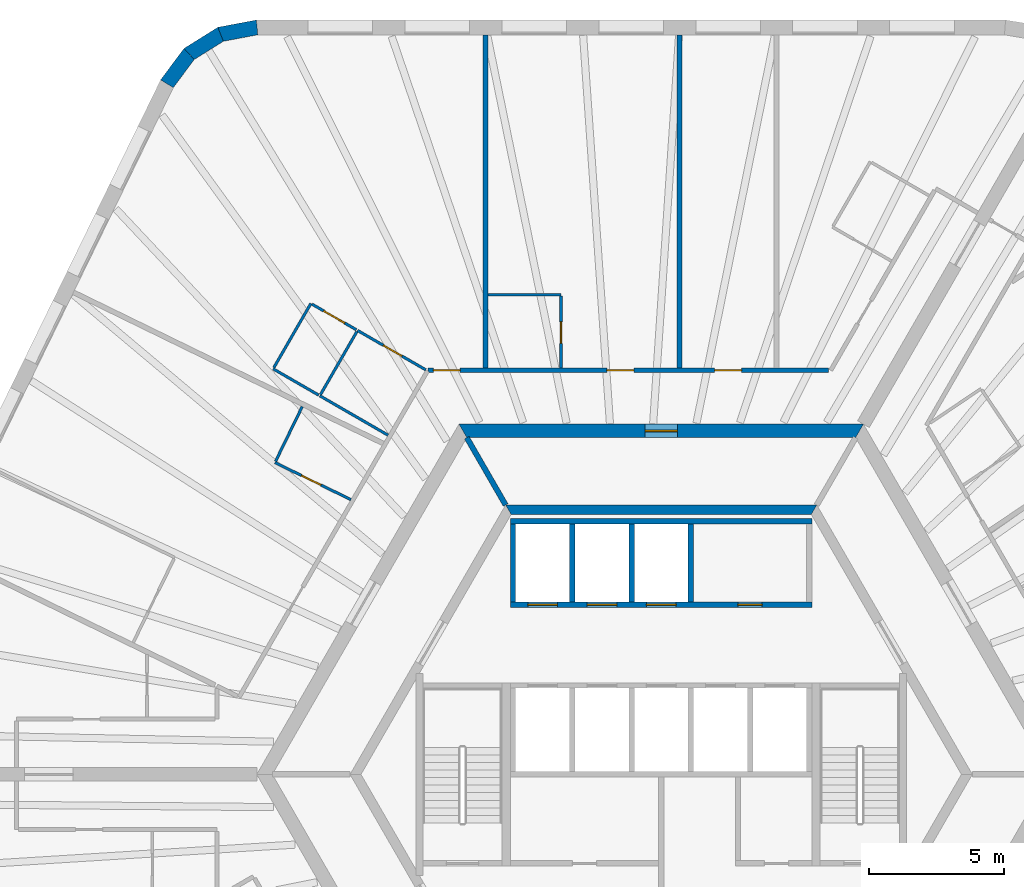
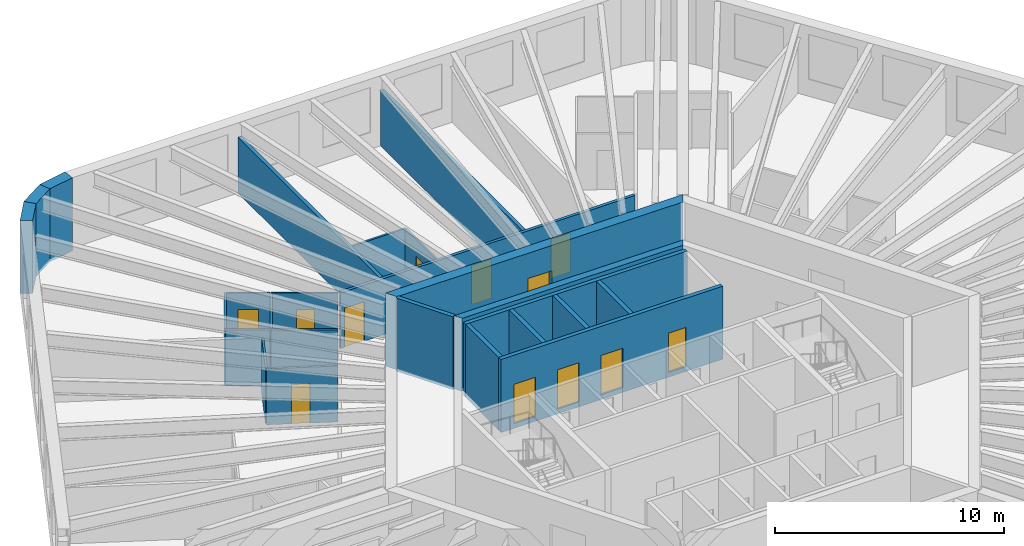
# One storey, part 7 of 10: 25 walls, 12 doors, 12 openings.
"""IFC4 building model written with IfcOpenShell, lengths in metres."""

from ifc_helpers import new_model, si_unit, direction, frame, frame_2d, origin, place, context, subcontext, project, spatial, polyline, rectangle, outline, extrude, material, layer, layer_set, type_object, element, fill, save


model = new_model("IFC4")

# Units and contexts
model_context = context("Model", 3, precision=1e-05, world=origin(), true_north=direction((0.0, 1.0)))
body_context = subcontext(model_context, "Body", "Model", "MODEL_VIEW")
ifc_project = project(units=[si_unit("LENGTHUNIT", "METRE"), si_unit("AREAUNIT", "SQUARE_METRE"), si_unit("VOLUMEUNIT", "CUBIC_METRE"), si_unit("PLANEANGLEUNIT", "RADIAN"), si_unit("MASSUNIT", "GRAM", prefix="KILO")], contexts=[model_context])

# Site, building, storey
site_placement = place(None, origin())
site = spatial("IfcSite", under=ifc_project, at=site_placement, CompositionType="ELEMENT")
building_placement = place(site_placement, origin())
building = spatial("IfcBuilding", under=site, at=building_placement, Name="Tarnside Tower", CompositionType="ELEMENT")
storey_placement = place(building_placement, frame((0.0, 0.0, 211.199951171875)))
storey = spatial("IfcBuildingStorey", under=building, at=storey_placement, Name="L50", CompositionType="ELEMENT", Elevation=211.199951171875)

# Wall
ifc_material_1 = material(Name="Gypsum board partition on steel studs", Category="steel")
ifc_layer_1 = layer(ifc_material_1, 0.10009765625)
ifc_layer_set_1 = layer_set([ifc_layer_1], Name="Bathroom wall 100")
wall_type_1 = type_object("IfcWallType", Name="Bathroom wall 100", PredefinedType="PARTITIONING", material=ifc_layer_set_1)
wall_1_placement = place(storey_placement, frame((-6.427978515625, 17.800048828125, 0.0), z_axis=(0.0, 0.0, 1.0), x_axis=(1.0, 0.0, 0.0)))
element("IfcWall", 1, at=wall_1_placement, inside=storey, type_object=wall_type_1, Name="Bathroom wall 16056", PredefinedType="PARTITIONING", context=body_context, shape_type="SweptSolid", body=[
    extrude(rectangle(XDim=2.710205078125, YDim=0.10009765625, at=frame_2d((1.35498046875, 0.0))), origin(), (0.0, 0.0, 1.0), 2.98779296875),
])

# Wall, opening, door
wall_2_placement = place(storey_placement, frame((-3.7177734375, 17.75, 0.0), z_axis=(0.0, 0.0, 1.0), x_axis=(0.0, -1.0, 0.0)))
wall_2 = element("IfcWall", 2, at=wall_2_placement, inside=storey, type_object=wall_type_1, Name="Bathroom wall 16057", PredefinedType="PARTITIONING", context=body_context, shape_type="SweptSolid", body=[
    extrude(rectangle(XDim=2.675048828125, YDim=0.10009765625, at=frame_2d((1.33740234375, 0.0))), origin(), (0.0, 0.0, 1.0), 2.98779296875),
])
opening_1_placement = place(wall_2_placement, frame((0.949951171875, 0.0, 0.0)))
opening_1 = element("IfcOpeningElement", 3, at=opening_1_placement, cuts=wall_2, Name="Opening D-B1", PredefinedType="OPENING", context=body_context, shape_type="SweptSolid", body=[
    extrude(rectangle(XDim=0.800048828125, YDim=2.10009765625, at=frame_2d((0.39990234375, 1.050048828125))), frame((0.0, 0.06005859375, 0.0), z_axis=(0.0, -1.0, 0.0), x_axis=(1.0, 0.0, 0.0)), (0.0, 0.0, 1.0), 0.1201171875),
])
ifc_material_2 = material(Name="Timber door leaf", Category="wood")
door_type_1 = type_object("IfcDoorType", Name="Bathroom door 800", OperationType="NOTDEFINED", PredefinedType="DOOR", material=ifc_material_2)
door_1_placement = place(opening_1_placement, origin())
door_1 = element("IfcDoor", 4, at=door_1_placement, inside=storey, type_object=door_type_1, Name="Bathroom door 16005", OperationType="SINGLE_SWING_LEFT", OverallHeight=2.10009765625, OverallWidth=0.800048828125, PredefinedType="DOOR", context=body_context, shape_type="SweptSolid", body=[
    extrude(rectangle(XDim=0.800048828125, YDim=2.10009765625, at=frame_2d((0.39990234375, 1.050048828125))), frame((0.0, 0.02490234375, 0.0), z_axis=(0.0, -1.0, 0.0), x_axis=(1.0, 0.0, 0.0)), (0.0, 0.0, 1.0), 0.050048828125),
])
fill(opening_1, door_1)

# Wall
wall_3_placement = place(storey_placement, frame((-10.137939453125, 12.5908203125, 0.0), z_axis=(0.0, 0.0, 1.0), x_axis=(-0.866025730634, 0.499999433879, 0.0)))
element("IfcWall", 5, at=wall_3_placement, inside=storey, type_object=wall_type_1, Name="Bathroom wall 16060", PredefinedType="PARTITIONING", context=body_context, shape_type="SweptSolid", body=[
    extrude(rectangle(XDim=2.9248046875, YDim=0.10009765625, at=frame_2d((1.46240234375, 0.0))), origin(), (0.0, 0.0, 1.0), 2.98779296875),
])

# Wall, opening, door
wall_4_placement = place(storey_placement, frame((-11.27099609375, 16.47802734375, 0.0), z_axis=(0.0, 0.0, 1.0), x_axis=(0.866046596414, -0.499963291492, 0.0)))
wall_4 = element("IfcWall", 6, at=wall_4_placement, inside=storey, type_object=wall_type_1, Name="Bathroom wall 16061", PredefinedType="PARTITIONING", context=body_context, shape_type="SweptSolid", body=[
    extrude(rectangle(XDim=2.925048828125, YDim=0.10009765625, at=frame_2d((1.46240234375, 0.0))), origin(), (0.0, 0.0, 1.0), 2.98779296875),
])
opening_2_placement = place(wall_4_placement, frame((1.10009765625, 0.0, 0.0)))
opening_2 = element("IfcOpeningElement", 7, at=opening_2_placement, cuts=wall_4, Name="Opening D-B1", PredefinedType="OPENING", context=body_context, shape_type="SweptSolid", body=[
    extrude(rectangle(XDim=0.800048828125, YDim=2.10009765625, at=frame_2d((0.39990234375, 1.050048828125))), frame((0.0, 0.06005859375, 0.0), z_axis=(0.0, -1.0, 0.0), x_axis=(1.0, 0.0, 0.0)), (0.0, 0.0, 1.0), 0.1201171875),
])
door_2_placement = place(opening_2_placement, origin())
door_2 = element("IfcDoor", 8, at=door_2_placement, inside=storey, type_object=door_type_1, Name="Bathroom door 16007", OperationType="SINGLE_SWING_LEFT", OverallHeight=2.10009765625, OverallWidth=0.800048828125, PredefinedType="DOOR", context=body_context, shape_type="SweptSolid", body=[
    extrude(rectangle(XDim=0.800048828125, YDim=2.10009765625, at=frame_2d((0.39990234375, 1.050048828125))), frame((0.0, 0.02490234375, 0.0), z_axis=(0.0, -1.0, 0.0), x_axis=(1.0, 0.0, 0.0)), (0.0, 0.0, 1.0), 0.050048828125),
])
fill(opening_2, door_2)

# Wall
wall_5_placement = place(storey_placement, frame((-11.2958984375, 16.434814453125, 0.0), z_axis=(0.0, 0.0, 1.0), x_axis=(-0.50000943426, -0.866019956843, 0.0)))
element("IfcWall", 9, at=wall_5_placement, inside=storey, type_object=wall_type_1, Name="Bathroom wall 16067", PredefinedType="PARTITIONING", context=body_context, shape_type="SweptSolid", body=[
    extrude(rectangle(XDim=2.7001953125, YDim=0.10009765625, at=frame_2d((1.35009765625, 0.0))), origin(), (0.0, 0.0, 1.0), 2.98779296875),
])

# Wall, opening, door
wall_6_placement = place(storey_placement, frame((-11.518310546875, 10.199462890625, 0.0), z_axis=(0.0, 0.0, 1.0), x_axis=(-0.898776679215, 0.438406752799, 0.0)))
wall_6 = element("IfcWall", 10, at=wall_6_placement, inside=storey, type_object=wall_type_1, Name="Bathroom wall 16068", PredefinedType="PARTITIONING", context=body_context, shape_type="SweptSolid", body=[
    extrude(rectangle(XDim=3.134765625, YDim=0.10009765625, at=frame_2d((1.5673828125, 0.0))), origin(), (0.0, 0.0, 1.0), 2.98779296875),
])
opening_3_placement = place(wall_6_placement, frame((1.234619140625, 0.0, 0.0)))
opening_3 = element("IfcOpeningElement", 11, at=opening_3_placement, cuts=wall_6, Name="Opening D-B1", PredefinedType="OPENING", context=body_context, shape_type="SweptSolid", body=[
    extrude(rectangle(XDim=0.800048828125, YDim=2.10009765625, at=frame_2d((0.39990234375, 1.050048828125))), frame((0.0, 0.06005859375, 0.0), z_axis=(0.0, -1.0, 0.0), x_axis=(1.0, 0.0, 0.0)), (0.0, 0.0, 1.0), 0.1201171875),
])
door_3_placement = place(opening_3_placement, origin())
door_3 = element("IfcDoor", 12, at=door_3_placement, inside=storey, type_object=door_type_1, Name="Bathroom door 16010", OperationType="SINGLE_SWING_LEFT", OverallHeight=2.10009765625, OverallWidth=0.800048828125, PredefinedType="DOOR", context=body_context, shape_type="SweptSolid", body=[
    extrude(rectangle(XDim=0.800048828125, YDim=2.10009765625, at=frame_2d((0.39990234375, 1.050048828125))), frame((0.0, 0.02490234375, 0.0), z_axis=(0.0, -1.0, 0.0), x_axis=(1.0, 0.0, 0.0)), (0.0, 0.0, 1.0), 0.050048828125),
])
fill(opening_3, door_3)

# Walls
wall_7_placement = place(storey_placement, frame((-14.313720703125, 11.61865234375, 0.0), z_axis=(0.0, 0.0, 1.0), x_axis=(0.438376807268, 0.898791285477, 0.0)))
element("IfcWall", 13, at=wall_7_placement, inside=storey, type_object=wall_type_1, Name="Bathroom wall 16069", PredefinedType="PARTITIONING", context=body_context, shape_type="SweptSolid", body=[
    extrude(rectangle(XDim=2.260009765625, YDim=0.10009765625, at=frame_2d((1.1298828125, 0.0))), origin(), (0.0, 0.0, 1.0), 2.98779296875),
])
ifc_material_3 = material(Name="Concrete C50/60", Category="concrete")
ifc_layer_2 = layer(ifc_material_3, 0.35009765625)
ifc_layer_set_2 = layer_set([ifc_layer_2], Name="Core block wall 350 C50/60")
wall_type_2 = type_object("IfcWallType", Name="Core block wall 350 C50/60", PredefinedType="SHEAR", material=ifc_layer_set_2)
wall_8_placement = place(storey_placement, frame((5.672607421875, 9.824951171875, -0.14990234375), z_axis=(0.0, 0.0, 1.0), x_axis=(-1.0, 0.0, 0.0)))
element("IfcWall", 14, at=wall_8_placement, inside=storey, type_object=wall_type_2, Name="L50 core block wall face 1", PredefinedType="SHEAR", context=body_context, shape_type="SweptSolid", body=[
    extrude(outline(polyline([(-0.10107421875, -0.175048828125), (11.4462890625, -0.175048828125), (11.244140625, 0.175048828125), (0.10107421875, 0.175048828125), (-0.10107421875, -0.175048828125)])), origin(), (0.0, 0.0, 1.0), 3.89990234375),
])

# Wall, opening, door
ifc_material_4 = material(Name="Concrete C70/85", Category="concrete")
ifc_layer_3 = layer(ifc_material_4, 0.5)
ifc_layer_set_3 = layer_set([ifc_layer_3], Name="Core wall Z2 500 C70/85")
wall_type_3 = type_object("IfcWallType", Name="Core wall Z2 500 C70/85", PredefinedType="SHEAR", material=ifc_layer_set_3)
wall_9_placement = place(storey_placement, frame((7.361083984375, 12.75, -0.14990234375), z_axis=(0.0, 0.0, 1.0), x_axis=(-1.0, 0.0, 0.0)))
wall_9 = element("IfcWall", 15, at=wall_9_placement, inside=storey, type_object=wall_type_3, Name="L50 core wall face 1", PredefinedType="SHEAR", context=body_context, shape_type="SweptSolid", body=[
    extrude(outline(polyline([(-0.144287109375, -0.25), (14.866455078125, -0.25), (14.577880859375, 0.25), (0.144287109375, 0.25), (-0.144287109375, -0.25)])), origin(), (0.0, 0.0, 1.0), 3.89990234375),
])
opening_4_placement = place(wall_9_placement, frame((6.76123046875, 0.0, 0.14990234375)))
opening_4 = element("IfcOpeningElement", 16, at=opening_4_placement, cuts=wall_9, Name="Opening CD-RSR", PredefinedType="OPENING", context=body_context, shape_type="SweptSolid", body=[
    extrude(rectangle(XDim=1.199951171875, YDim=2.39990234375, at=frame_2d((0.60009765625, 1.199951171875))), frame((0.0, 0.260009765625, 0.0), z_axis=(0.0, -1.0, 0.0), x_axis=(1.0, 0.0, 0.0)), (0.0, 0.0, 1.0), 0.52001953125),
])
ifc_material_5 = material(Name="Steel fire door", Category="steel")
door_type_2 = type_object("IfcDoorType", Name="Riser door FD60 1200x2400", OperationType="NOTDEFINED", PredefinedType="DOOR", material=ifc_material_5)
door_4_placement = place(opening_4_placement, origin())
door_4 = element("IfcDoor", 17, at=door_4_placement, inside=storey, type_object=door_type_2, Name="L50 core door S5", OperationType="SINGLE_SWING_LEFT", OverallHeight=2.39990234375, OverallWidth=1.199951171875, PredefinedType="DOOR", context=body_context, shape_type="SweptSolid", body=[
    extrude(rectangle(XDim=1.199951171875, YDim=2.39990234375, at=frame_2d((0.60009765625, 1.199951171875))), frame((0.0, 0.02490234375, 0.0), z_axis=(0.0, -1.0, 0.0), x_axis=(1.0, 0.0, 0.0)), (0.0, 0.0, 1.0), 0.050048828125),
])
fill(opening_4, door_4)

# Wall, openings, doors
ifc_layer_4 = layer(ifc_material_1, 0.14990234375)
ifc_layer_set_4 = layer_set([ifc_layer_4], Name="Corridor wall 150 EI 60")
wall_type_4 = type_object("IfcWallType", Name="Corridor wall 150 EI 60", PredefinedType="PARTITIONING", material=ifc_layer_set_4)
wall_10_placement = place(storey_placement, frame((6.20654296875, 15.0, 0.0), z_axis=(0.0, 0.0, 1.0), x_axis=(-1.0, 0.0, 0.0)))
wall_10 = element("IfcWall", 18, at=wall_10_placement, inside=storey, type_object=wall_type_4, Name="Corridor wall 16002", PredefinedType="PARTITIONING", context=body_context, shape_type="SweptSolid", body=[
    extrude(rectangle(XDim=14.86669921875, YDim=0.14990234375, at=frame_2d((7.433349609375, 0.0))), origin(), (0.0, 0.0, 1.0), 2.98779296875),
])
opening_5_placement = place(wall_10_placement, frame((3.224365234375, 0.0, 0.0)))
opening_5 = element("IfcOpeningElement", 19, at=opening_5_placement, cuts=wall_10, Name="Opening D-E1", PredefinedType="OPENING", context=body_context, shape_type="SweptSolid", body=[
    extrude(rectangle(XDim=1.0, YDim=2.10009765625, at=frame_2d((0.5, 1.050048828125))), frame((0.0, 0.0849609375, 0.0), z_axis=(0.0, -1.0, 0.0), x_axis=(1.0, 0.0, 0.0)), (0.0, 0.0, 1.0), 0.169921875),
])
opening_6_placement = place(wall_10_placement, frame((7.224365234375, 0.0, 0.0)))
opening_6 = element("IfcOpeningElement", 20, at=opening_6_placement, cuts=wall_10, Name="Opening D-E1", PredefinedType="OPENING", context=body_context, shape_type="SweptSolid", body=[
    extrude(rectangle(XDim=1.0, YDim=2.10009765625, at=frame_2d((0.5, 1.050048828125))), frame((0.0, 0.0849609375, 0.0), z_axis=(0.0, -1.0, 0.0), x_axis=(1.0, 0.0, 0.0)), (0.0, 0.0, 1.0), 0.169921875),
])
opening_7_placement = place(wall_10_placement, frame((13.666748046875, 0.0, 0.0)))
opening_7 = element("IfcOpeningElement", 21, at=opening_7_placement, cuts=wall_10, Name="Opening D-E1", PredefinedType="OPENING", context=body_context, shape_type="SweptSolid", body=[
    extrude(rectangle(XDim=1.0, YDim=2.10009765625, at=frame_2d((0.5, 1.050048828125))), frame((0.0, 0.0849609375, 0.0), z_axis=(0.0, -1.0, 0.0), x_axis=(1.0, 0.0, 0.0)), (0.0, 0.0, 1.0), 0.169921875),
])
door_type_3 = type_object("IfcDoorType", Name="Unit entrance door 1000 FD30S", OperationType="NOTDEFINED", PredefinedType="DOOR", material=ifc_material_2)
door_5_placement = place(opening_5_placement, origin())
door_5 = element("IfcDoor", 22, at=door_5_placement, inside=storey, type_object=door_type_3, Name="Unit door 16003", OperationType="SINGLE_SWING_RIGHT", OverallHeight=2.10009765625, OverallWidth=1.0, PredefinedType="DOOR", context=body_context, shape_type="SweptSolid", body=[
    extrude(rectangle(XDim=1.0, YDim=2.10009765625, at=frame_2d((0.5, 1.050048828125))), frame((0.0, 0.02490234375, 0.0), z_axis=(0.0, -1.0, 0.0), x_axis=(1.0, 0.0, 0.0)), (0.0, 0.0, 1.0), 0.050048828125),
])
fill(opening_5, door_5)
door_6_placement = place(opening_6_placement, origin())
door_6 = element("IfcDoor", 23, at=door_6_placement, inside=storey, type_object=door_type_3, Name="Unit door 16004", OperationType="SINGLE_SWING_RIGHT", OverallHeight=2.10009765625, OverallWidth=1.0, PredefinedType="DOOR", context=body_context, shape_type="SweptSolid", body=[
    extrude(rectangle(XDim=1.0, YDim=2.10009765625, at=frame_2d((0.5, 1.050048828125))), frame((0.0, 0.02490234375, 0.0), z_axis=(0.0, -1.0, 0.0), x_axis=(1.0, 0.0, 0.0)), (0.0, 0.0, 1.0), 0.050048828125),
])
fill(opening_6, door_6)
door_7_placement = place(opening_7_placement, origin())
door_7 = element("IfcDoor", 24, at=door_7_placement, inside=storey, type_object=door_type_3, Name="Unit door 16006", OperationType="SINGLE_SWING_LEFT", OverallHeight=2.10009765625, OverallWidth=1.0, PredefinedType="DOOR", context=body_context, shape_type="SweptSolid", body=[
    extrude(rectangle(XDim=1.0, YDim=2.10009765625, at=frame_2d((0.5, 1.050048828125))), frame((0.0, 0.02490234375, 0.0), z_axis=(0.0, -1.0, 0.0), x_axis=(1.0, 0.0, 0.0)), (0.0, 0.0, 1.0), 0.050048828125),
])
fill(opening_7, door_7)

# Walls
ifc_layer_5 = layer(ifc_material_1, 0.179931640625)
ifc_layer_set_5 = layer_set([ifc_layer_5], Name="Demising wall 180 EI 60")
wall_type_5 = type_object("IfcWallType", Name="Demising wall 180 EI 60", PredefinedType="PARTITIONING", material=ifc_layer_set_5)
for number, where, z_axis, x_axis, name in (
    (25, (0.68212890625, 27.449951171875, 0.0), (0.0, 0.0, 1.0), (0.0, -1.0, 0.0), "Demising wall 16055"),
    (26, (-6.517822265625, 27.449951171875, 0.0), (0.0, 0.0, 1.0), (0.0, -1.0, 0.0), "Demising wall 16058"),
):
    element("IfcWall", number, at=place(storey_placement, frame(where, z_axis=z_axis, x_axis=x_axis)), inside=storey, type_object=wall_type_5, Name=name, PredefinedType="PARTITIONING", context=body_context, shape_type="SweptSolid", body=[
        extrude(rectangle(XDim=12.375, YDim=0.179931640625, at=frame_2d((6.1875, 0.0))), origin(), (0.0, 0.0, 1.0), 2.98779296875),
    ])

# Wall, openings, doors
ifc_material_6 = material(Name="Concrete C40/50", Category="concrete")
ifc_layer_6 = layer(ifc_material_6, 0.199951171875)
ifc_layer_set_6 = layer_set([ifc_layer_6], Name="Lift shaft wall 200 C40/50")
wall_type_6 = type_object("IfcWallType", Name="Lift shaft wall 200 C40/50", PredefinedType="SHEAR", material=ifc_layer_set_6)
wall_11_placement = place(storey_placement, frame((-5.60009765625, 6.300048828125, -0.25), z_axis=(0.0, 0.0, 1.0), x_axis=(1.0, 0.0, 0.0)))
wall_11 = element("IfcWall", 27, at=wall_11_placement, inside=storey, type_object=wall_type_6, Name="L50 lift shaft front wall R1", PredefinedType="SHEAR", context=body_context, shape_type="SweptSolid", body=[
    extrude(rectangle(XDim=11.2001953125, YDim=0.199951171875, at=frame_2d((5.60009765625, 0.0))), origin(), (0.0, 0.0, 1.0), 3.900146484375),
])
opening_8_placement = place(wall_11_placement, frame((8.449951171875, 0.0, 0.25)))
opening_8 = element("IfcOpeningElement", 28, at=opening_8_placement, cuts=wall_11, Name="Opening CD-room", PredefinedType="OPENING", context=body_context, shape_type="SweptSolid", body=[
    extrude(rectangle(XDim=0.89990234375, YDim=2.10009765625, at=frame_2d((0.449951171875, 1.050048828125))), frame((0.0, 0.10986328125, 0.0), z_axis=(0.0, -1.0, 0.0), x_axis=(1.0, 0.0, 0.0)), (0.0, 0.0, 1.0), 0.219970703125),
])
opening_9_placement = place(wall_11_placement, frame((0.64990234375, 0.0, 0.25)))
opening_9 = element("IfcOpeningElement", 29, at=opening_9_placement, cuts=wall_11, Name="Opening LD", PredefinedType="OPENING", context=body_context, shape_type="SweptSolid", body=[
    extrude(rectangle(XDim=1.10009765625, YDim=2.10009765625, at=frame_2d((0.550048828125, 1.050048828125))), frame((0.0, 0.10986328125, 0.0), z_axis=(0.0, -1.0, 0.0), x_axis=(1.0, 0.0, 0.0)), (0.0, 0.0, 1.0), 0.219970703125),
])
opening_10_placement = place(wall_11_placement, frame((2.85009765625, 0.0, 0.25)))
opening_10 = element("IfcOpeningElement", 30, at=opening_10_placement, cuts=wall_11, Name="Opening LD", PredefinedType="OPENING", context=body_context, shape_type="SweptSolid", body=[
    extrude(rectangle(XDim=1.10009765625, YDim=2.10009765625, at=frame_2d((0.550048828125, 1.050048828125))), frame((0.0, 0.10986328125, 0.0), z_axis=(0.0, -1.0, 0.0), x_axis=(1.0, 0.0, 0.0)), (0.0, 0.0, 1.0), 0.219970703125),
])
opening_11_placement = place(wall_11_placement, frame((5.050048828125, 0.0, 0.25)))
opening_11 = element("IfcOpeningElement", 31, at=opening_11_placement, cuts=wall_11, Name="Opening LD", PredefinedType="OPENING", context=body_context, shape_type="SweptSolid", body=[
    extrude(rectangle(XDim=1.10009765625, YDim=2.10009765625, at=frame_2d((0.550048828125, 1.050048828125))), frame((0.0, 0.10986328125, 0.0), z_axis=(0.0, -1.0, 0.0), x_axis=(1.0, 0.0, 0.0)), (0.0, 0.0, 1.0), 0.219970703125),
])
ifc_material_7 = material(Name="Stainless steel", Category="steel")
door_type_4 = type_object("IfcDoorType", Name="Lift landing door 1100x2100", OperationType="NOTDEFINED", PredefinedType="DOOR", material=ifc_material_7)
door_8_placement = place(opening_9_placement, origin())
door_8 = element("IfcDoor", 32, at=door_8_placement, inside=storey, type_object=door_type_4, Name="Mid-rise lift 1 landing door L50", OperationType="SLIDING_TO_LEFT", OverallHeight=2.10009765625, OverallWidth=1.10009765625, PredefinedType="DOOR", context=body_context, shape_type="SweptSolid", body=[
    extrude(rectangle(XDim=1.10009765625, YDim=2.10009765625, at=frame_2d((0.550048828125, 1.050048828125))), frame((0.0, 0.02490234375, 0.0), z_axis=(0.0, -1.0, 0.0), x_axis=(1.0, 0.0, 0.0)), (0.0, 0.0, 1.0), 0.050048828125),
])
fill(opening_9, door_8)
door_9_placement = place(opening_10_placement, origin())
door_9 = element("IfcDoor", 33, at=door_9_placement, inside=storey, type_object=door_type_4, Name="Mid-rise lift 2 landing door L50", OperationType="SLIDING_TO_LEFT", OverallHeight=2.10009765625, OverallWidth=1.10009765625, PredefinedType="DOOR", context=body_context, shape_type="SweptSolid", body=[
    extrude(rectangle(XDim=1.10009765625, YDim=2.10009765625, at=frame_2d((0.550048828125, 1.050048828125))), frame((0.0, 0.02490234375, 0.0), z_axis=(0.0, -1.0, 0.0), x_axis=(1.0, 0.0, 0.0)), (0.0, 0.0, 1.0), 0.050048828125),
])
fill(opening_10, door_9)
door_10_placement = place(opening_11_placement, origin())
door_10 = element("IfcDoor", 34, at=door_10_placement, inside=storey, type_object=door_type_4, Name="Mid-rise lift 3 landing door L50", OperationType="SLIDING_TO_LEFT", OverallHeight=2.10009765625, OverallWidth=1.10009765625, PredefinedType="DOOR", context=body_context, shape_type="SweptSolid", body=[
    extrude(rectangle(XDim=1.10009765625, YDim=2.10009765625, at=frame_2d((0.550048828125, 1.050048828125))), frame((0.0, 0.02490234375, 0.0), z_axis=(0.0, -1.0, 0.0), x_axis=(1.0, 0.0, 0.0)), (0.0, 0.0, 1.0), 0.050048828125),
])
fill(opening_11, door_10)
door_type_5 = type_object("IfcDoorType", Name="Room door FD60 900x2100", OperationType="NOTDEFINED", PredefinedType="DOOR", material=ifc_material_5)
door_11_placement = place(opening_8_placement, origin())
door_11 = element("IfcDoor", 35, at=door_11_placement, inside=storey, type_object=door_type_5, Name="L50 core room door FC1", OperationType="SINGLE_SWING_LEFT", OverallHeight=2.10009765625, OverallWidth=0.89990234375, PredefinedType="DOOR", context=body_context, shape_type="SweptSolid", body=[
    extrude(rectangle(XDim=0.89990234375, YDim=2.10009765625, at=frame_2d((0.449951171875, 1.050048828125))), frame((0.0, 0.02490234375, 0.0), z_axis=(0.0, -1.0, 0.0), x_axis=(1.0, 0.0, 0.0)), (0.0, 0.0, 1.0), 0.050048828125),
])
fill(opening_8, door_11)

# Walls
wall_12_placement = place(storey_placement, frame((-5.60009765625, 9.39990234375, -0.25), z_axis=(0.0, 0.0, 1.0), x_axis=(1.0, 0.0, 0.0)))
element("IfcWall", 36, at=wall_12_placement, inside=storey, type_object=wall_type_6, Name="L50 lift shaft back wall R1", PredefinedType="SHEAR", context=body_context, shape_type="SweptSolid", body=[
    extrude(rectangle(XDim=11.2001953125, YDim=0.199951171875, at=frame_2d((5.60009765625, 0.0))), origin(), (0.0, 0.0, 1.0), 3.900146484375),
])
for number, where, z_axis, x_axis, name in (
    (37, (-5.5, 6.39990234375, -0.25), (0.0, 0.0, 1.0), (0.0, 1.0, 0.0), "L50 lift shaft partition R11"),
    (38, (-3.300048828125, 6.39990234375, -0.25), (0.0, 0.0, 1.0), (0.0, 1.0, 0.0), "L50 lift shaft partition R12"),
    (39, (-1.10009765625, 6.39990234375, -0.25), (0.0, 0.0, 1.0), (0.0, 1.0, 0.0), "L50 lift shaft partition R13"),
    (40, (1.10009765625, 6.39990234375, -0.25), (0.0, 0.0, 1.0), (0.0, 1.0, 0.0), "L50 lift shaft partition R14"),
):
    element("IfcWall", number, at=place(storey_placement, frame(where, z_axis=z_axis, x_axis=x_axis)), inside=storey, type_object=wall_type_6, Name=name, PredefinedType="SHEAR", context=body_context, shape_type="SweptSolid", body=[
        extrude(rectangle(XDim=2.900146484375, YDim=0.199951171875, at=frame_2d((1.4501953125, 0.0))), origin(), (0.0, 0.0, 1.0), 3.900146484375),
    ])
wall_13_placement = place(storey_placement, frame((-5.7734375, 10.0, -0.14990234375), z_axis=(0.0, 0.0, 1.0), x_axis=(-0.499995765644, 0.866027848477, 0.0)))
element("IfcWall", 41, at=wall_13_placement, inside=storey, type_object=wall_type_6, Name="L50 core partition AR120", PredefinedType="SHEAR", context=body_context, shape_type="SweptSolid", body=[
    extrude(rectangle(XDim=2.88671875, YDim=0.199951171875, at=frame_2d((1.443359375, 0.0))), origin(), (0.0, 0.0, 1.0), 3.89990234375),
])
ifc_layer_7 = layer(ifc_material_1, 0.10009765625)
ifc_layer_set_7 = layer_set([ifc_layer_7], Name="Partition 100")
wall_type_7 = type_object("IfcWallType", Name="Partition 100", PredefinedType="PARTITIONING", material=ifc_layer_set_7)
wall_14_placement = place(storey_placement, frame((-12.71435546875, 14.078125, 0.0), z_axis=(0.0, 0.0, 1.0), x_axis=(-0.866000020948, 0.500043961785, 0.0)))
element("IfcWall", 42, at=wall_14_placement, inside=storey, type_object=wall_type_7, Name="Partition wall 16062", PredefinedType="PARTITIONING", context=body_context, shape_type="SweptSolid", body=[
    extrude(rectangle(XDim=1.949951171875, YDim=0.10009765625, at=frame_2d((0.97509765625, 0.0))), origin(), (0.0, 0.0, 1.0), 2.98779296875),
])
wall_15_placement = place(storey_placement, frame((-14.3779296875, 15.096435546875, 0.0), z_axis=(0.0, 0.0, 1.0), x_axis=(0.499996545922, 0.866027397988, 0.0)))
element("IfcWall", 43, at=wall_15_placement, inside=storey, type_object=wall_type_7, Name="Partition wall 16063", PredefinedType="PARTITIONING", context=body_context, shape_type="SweptSolid", body=[
    extrude(rectangle(XDim=2.75, YDim=0.10009765625, at=frame_2d((1.375, 0.0))), origin(), (0.0, 0.0, 1.0), 2.98779296875),
])

# Wall, opening, door
wall_16_placement = place(storey_placement, frame((-12.959716796875, 17.453125, 0.0), z_axis=(0.0, 0.0, 1.0), x_axis=(0.866044365799, -0.499967155389, 0.0)))
wall_16 = element("IfcWall", 44, at=wall_16_placement, inside=storey, type_object=wall_type_7, Name="Partition wall 16064", PredefinedType="PARTITIONING", context=body_context, shape_type="SweptSolid", body=[
    extrude(rectangle(XDim=1.900146484375, YDim=0.10009765625, at=frame_2d((0.9501953125, 0.0))), origin(), (0.0, 0.0, 1.0), 2.98779296875),
])
opening_12_placement = place(wall_16_placement, frame((0.5, 0.0, 0.0)))
opening_12 = element("IfcOpeningElement", 45, at=opening_12_placement, cuts=wall_16, Name="Opening D-I1", PredefinedType="OPENING", context=body_context, shape_type="SweptSolid", body=[
    extrude(rectangle(XDim=0.89990234375, YDim=2.10009765625, at=frame_2d((0.449951171875, 1.050048828125))), frame((0.0, 0.06005859375, 0.0), z_axis=(0.0, -1.0, 0.0), x_axis=(1.0, 0.0, 0.0)), (0.0, 0.0, 1.0), 0.1201171875),
])
door_type_6 = type_object("IfcDoorType", Name="Internal door 900", OperationType="NOTDEFINED", PredefinedType="DOOR", material=ifc_material_2)
door_12_placement = place(opening_12_placement, origin())
door_12 = element("IfcDoor", 46, at=door_12_placement, inside=storey, type_object=door_type_6, Name="Internal door 16008", OperationType="SINGLE_SWING_LEFT", OverallHeight=2.10009765625, OverallWidth=0.89990234375, PredefinedType="DOOR", context=body_context, shape_type="SweptSolid", body=[
    extrude(rectangle(XDim=0.89990234375, YDim=2.10009765625, at=frame_2d((0.449951171875, 1.050048828125))), frame((0.0, 0.02490234375, 0.0), z_axis=(0.0, -1.0, 0.0), x_axis=(1.0, 0.0, 0.0)), (0.0, 0.0, 1.0), 0.050048828125),
])
fill(opening_12, door_12)

# Walls
ifc_material_8 = material(Name="Facing brick", Category="masonry")
ifc_layer_8 = layer(ifc_material_8, 0.10205078125)
ifc_material_9 = material(Name="Concrete C60/75 precast", Category="concrete")
ifc_layer_9 = layer(ifc_material_9, 0.347900390625)
ifc_material_10 = material(Name="Mineral wool insulation")
ifc_layer_10 = layer(ifc_material_10, 0.10009765625)
ifc_layer_set_8 = layer_set([ifc_layer_8, ifc_layer_9, ifc_layer_10], Name="Tube wall 550 brick faced")
wall_type_8 = type_object("IfcWallType", Name="Tube wall 550 brick faced", PredefinedType="SOLIDWALL", material=ifc_layer_set_8)
wall_17_placement = place(storey_placement, frame((-14.996826171875, 27.72509765625, -0.14990234375), z_axis=(0.0, 0.0, 1.0), x_axis=(-0.982705443133, -0.185175624845, 0.0)))
element("IfcWall", 47, at=wall_17_placement, inside=storey, type_object=wall_type_8, Name="Tube wall L50 F1 chord 01", PredefinedType="SOLIDWALL", context=body_context, shape_type="SweptSolid", body=[
    extrude(outline(polyline([(-0.025634765625, -0.27490234375), (1.430908203125, -0.27490234375), (1.327392578125, 0.27490234375), (0.025634765625, 0.27490234375), (-0.025634765625, -0.27490234375)])), origin(), (0.0, 0.0, 1.0), 3.89990234375),
])
wall_18_placement = place(storey_placement, frame((-16.35205078125, 27.4697265625, -0.14990234375), z_axis=(0.0, 0.0, 1.0), x_axis=(-0.848057977594, -0.5299034503, 0.0)))
element("IfcWall", 48, at=wall_18_placement, inside=storey, type_object=wall_type_8, Name="Tube wall L50 F1 chord 02", PredefinedType="SOLIDWALL", context=body_context, shape_type="SweptSolid", body=[
    extrude(outline(polyline([(-0.0517578125, -0.27490234375), (1.4306640625, -0.27490234375), (1.3271484375, 0.27490234375), (0.0517578125, 0.27490234375), (-0.0517578125, -0.27490234375)])), origin(), (0.0, 0.0, 1.0), 3.89990234375),
])
wall_19_placement = place(storey_placement, frame((-17.521484375, 26.739013671875, -0.14990234375), z_axis=(0.0, 0.0, 1.0), x_axis=(-0.597135295884, -0.802140535324, 0.0)))
element("IfcWall", 49, at=wall_19_placement, inside=storey, type_object=wall_type_8, Name="Tube wall L50 F1 chord 03", PredefinedType="SOLIDWALL", context=body_context, shape_type="SweptSolid", body=[
    extrude(outline(polyline([(-0.0517578125, -0.27490234375), (1.40478515625, -0.27490234375), (1.353515625, 0.27490234375), (0.0517578125, 0.27490234375), (-0.0517578125, -0.27490234375)])), origin(), (0.0, 0.0, 1.0), 3.89990234375),
])

save(model, "model.ifc")
